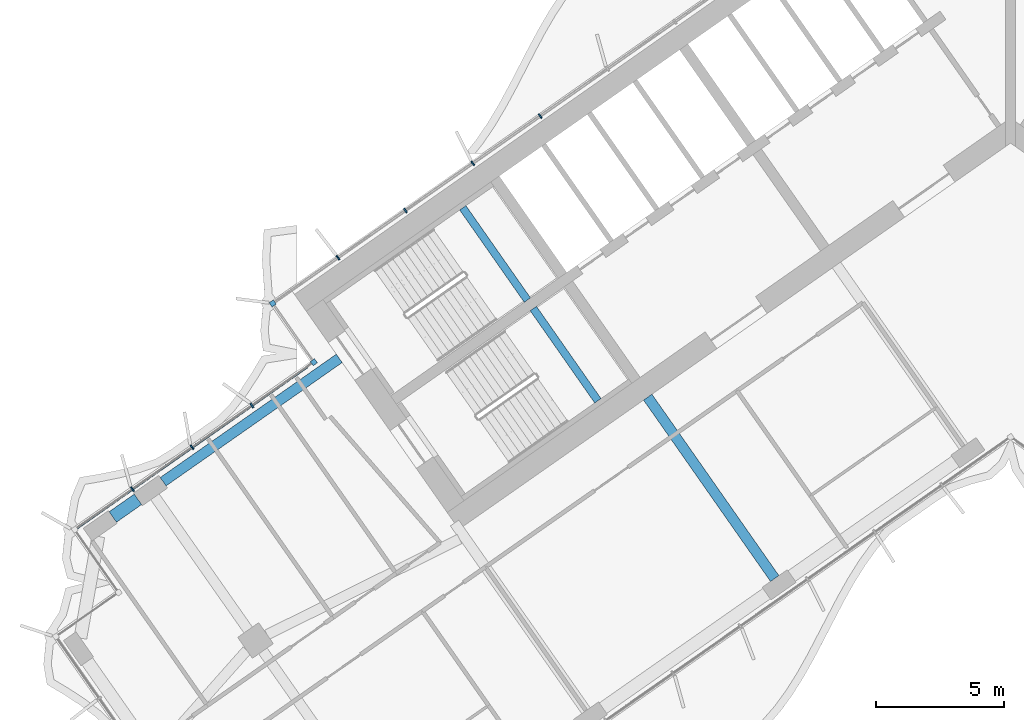
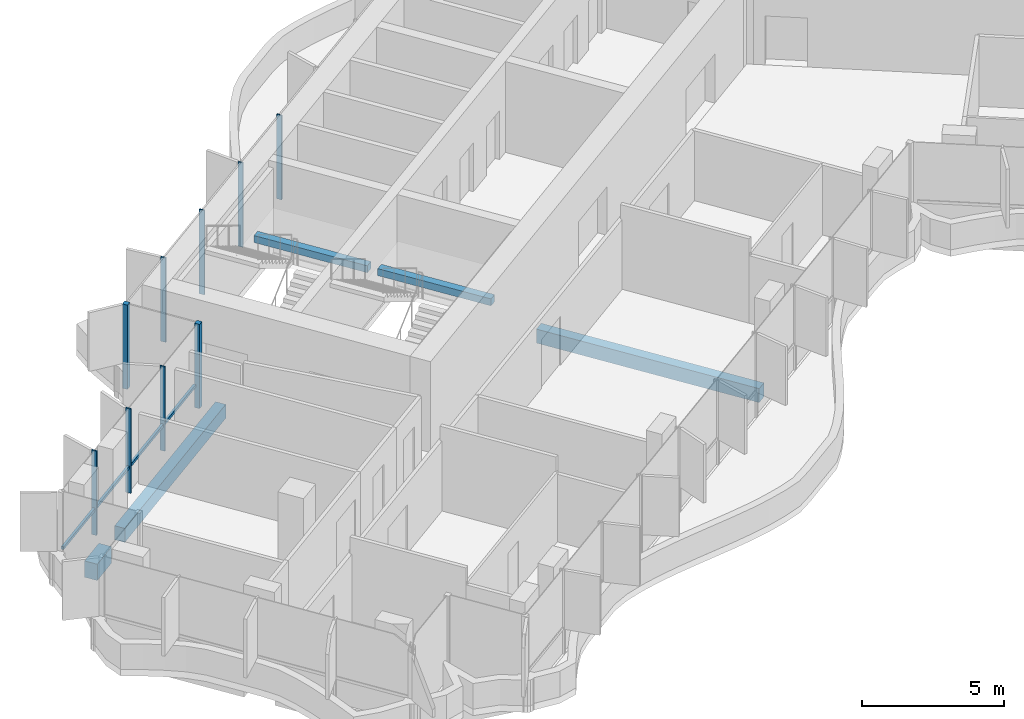
# One storey, part 4 of 23: 10 members, 5 beams, 2 elements without a shape of their own.
"""IFC4 building model written with IfcOpenShell, lengths in metres."""

from ifc_helpers import new_model, si_unit, direction, frame, origin, origin_2d, place, context, subcontext, project, spatial, rectangle, extrude, material, material_profile, profile_set, type_object, element, aggregate, save


model = new_model("IFC4")

# Units and contexts
model_context = context("Model", 3, precision=1e-05, world=origin(), true_north=direction((0.0, 1.0)))
body_context = subcontext(model_context, "Body", "Model", "MODEL_VIEW")
ifc_project = project(units=[si_unit("LENGTHUNIT", "METRE"), si_unit("AREAUNIT", "SQUARE_METRE"), si_unit("VOLUMEUNIT", "CUBIC_METRE"), si_unit("PLANEANGLEUNIT", "RADIAN"), si_unit("MASSUNIT", "GRAM", prefix="KILO")], contexts=[model_context])

# Site, building, storey
site_placement = place(None, origin())
site = spatial("IfcSite", under=ifc_project, at=site_placement, CompositionType="ELEMENT")
building_placement = place(site_placement, origin())
building = spatial("IfcBuilding", under=site, at=building_placement, Name="Tel Ilan Convention Tower", CompositionType="ELEMENT")
storey_placement = place(building_placement, frame((0.0, 0.0, 178.800048828125)))
storey = spatial("IfcBuildingStorey", under=building, at=storey_placement, Name="L41", CompositionType="ELEMENT", Elevation=178.800048828125)

# Beams
ifc_material_1 = material(Name="Concrete C40/50", Category="concrete")
ifc_material_profile_1 = material_profile(ifc_material_1, rectangle(XDim=0.39990234375, YDim=0.60009765625, at=origin_2d()), Name="RC 400x600")
ifc_profile_set_1 = profile_set([ifc_material_profile_1], Name="Concrete C40/50")
beam_type_1 = type_object("IfcBeamType", Name="Beam RC 400x600 Concrete C40/50", PredefinedType="BEAM", material=ifc_profile_set_1)
beam_1_placement = place(storey_placement, frame((-33.09912109375, -14.44775390625, -0.580078125), z_axis=(0.819147254605, 0.573583276668, 0.0), x_axis=(-0.573583276668, 0.819147254605, 0.0)))
element("IfcBeam", 1, at=beam_1_placement, inside=storey, type_object=beam_type_1, Name="L41 beam W-W-B4-core", PredefinedType="BEAM", context=body_context, shape_type="SweptSolid", body=[
    extrude(rectangle(XDim=0.39990234375, YDim=0.60009765625, at=origin_2d()), origin(), (0.0, 0.0, 1.0), 8.400146484375),
])
beam_2_placement = place(storey_placement, frame((-9.209716796875, -18.229248046875, -0.580078125), z_axis=(-0.573574099654, 0.819153680457, 0.0), x_axis=(-0.819153680457, -0.573574099654, 0.0)))
element("IfcBeam", 2, at=beam_2_placement, inside=storey, type_object=beam_type_1, Name="L41 beam W-W-F2-core", PredefinedType="BEAM", context=body_context, shape_type="SweptSolid", body=[
    extrude(rectangle(XDim=0.39990234375, YDim=0.60009765625, at=origin_2d()), origin(), (0.0, 0.0, 1.0), 8.64990234375),
])
ifc_material_2 = material(Name="Concrete C40/50", Category="concrete")
ifc_material_profile_2 = material_profile(ifc_material_2, rectangle(XDim=0.5, YDim=0.699951171875, at=origin_2d()), Name="RC 500x700")
ifc_profile_set_2 = profile_set([ifc_material_profile_2], Name="Concrete C40/50")
beam_type_2 = type_object("IfcBeamType", Name="Beam RC 500x700 Concrete C40/50", PredefinedType="BEAM", material=ifc_profile_set_2)
beam_3_placement = place(storey_placement, frame((-35.06494140625, -15.82421875, -0.630126953125), z_axis=(0.819155442668, 0.573571582932, 0.0), x_axis=(-0.573571582932, 0.819155442668, 0.0)))
element("IfcBeam", 3, at=beam_3_placement, inside=storey, type_object=beam_type_2, Name="L41 beam W-W-BC-W-B4", PredefinedType="BEAM", context=body_context, shape_type="SweptSolid", body=[
    extrude(rectangle(XDim=0.5, YDim=0.699951171875, at=origin_2d()), origin(), (0.0, 0.0, 1.0), 1.199951171875),
])

# Curtain wall, members
ifc_material_3 = material(Name="Aluminium, bronze anodised", Category="aluminium")
curtain_wall_type_1 = type_object("IfcCurtainWallType", Name="CW2 STICK CURTAIN WALL, SPANDREL PANELS", PredefinedType="NOTDEFINED", material=ifc_material_3)
curtain_wall_1_placement = place(storey_placement, origin())
curtain_wall_1 = element("IfcCurtainWall", 4, at=curtain_wall_1_placement, inside=storey, type_object=curtain_wall_type_1, Name="Curtain wall CW2-31.01", PredefinedType="NOTDEFINED")
ifc_material_4 = material(Name="Aluminium, bronze anodised", Category="aluminium")
ifc_material_profile_3 = material_profile(ifc_material_4, rectangle(XDim=0.199951171875, YDim=0.199951171875, at=origin_2d()), Name="CW CORNER MULLION 200x200")
ifc_profile_set_3 = profile_set([ifc_material_profile_3], Name="Aluminium, bronze anodised")
member_type_1 = type_object("IfcMemberType", Name="CW CORNER MULLION 200x200", PredefinedType="MULLION", material=ifc_profile_set_3)
member_1_placement = place(storey_placement, frame((-28.819580078125, -7.483642578125, 0.0), z_axis=(0.0, 0.0, 1.0), x_axis=(-0.819152044289, -0.573576436351, 0.0)))
member_1 = element("IfcMember", 5, at=member_1_placement, type_object=member_type_1, Name="Corner mullion", PredefinedType="MULLION", context=body_context, shape_type="SweptSolid", body=[
    extrude(rectangle(XDim=0.199951171875, YDim=0.199951171875, at=origin_2d()), origin(), (0.0, 0.0, 1.0), 3.619873046875),
])
member_2_placement = place(storey_placement, frame((-27.213623046875, -9.77734375, 0.0), z_axis=(0.0, 0.0, 1.0), x_axis=(0.573576436351, -0.819152044289, 0.0)))
member_2 = element("IfcMember", 6, at=member_2_placement, type_object=member_type_1, Name="Corner mullion", PredefinedType="MULLION", context=body_context, shape_type="SweptSolid", body=[
    extrude(rectangle(XDim=0.199951171875, YDim=0.199951171875, at=origin_2d()), origin(), (0.0, 0.0, 1.0), 3.619873046875),
])
ifc_material_5 = material(Name="Aluminium, bronze anodised", Category="aluminium")
ifc_material_profile_4 = material_profile(ifc_material_5, rectangle(XDim=0.06005859375, YDim=0.199951171875, at=origin_2d()), Name="CW MULLION 60x200")
ifc_profile_set_4 = profile_set([ifc_material_profile_4], Name="Aluminium, bronze anodised")
member_type_2 = type_object("IfcMemberType", Name="CW MULLION 60x200", PredefinedType="MULLION", material=ifc_profile_set_4)
member_3_placement = place(storey_placement, frame((-18.37109375, -0.16748046875, 0.0), z_axis=(0.0, 0.0, 1.0), x_axis=(-0.819152044289, -0.573576436351, 0.0)))
member_3 = element("IfcMember", 7, at=member_3_placement, type_object=member_type_2, Name="Mullion", PredefinedType="MULLION", context=body_context, shape_type="SweptSolid", body=[
    extrude(rectangle(XDim=0.06005859375, YDim=0.199951171875, at=origin_2d()), origin(), (0.0, 0.0, 1.0), 3.619873046875),
])
member_4_placement = place(storey_placement, frame((-21.003662109375, -2.0107421875, 0.0), z_axis=(0.0, 0.0, 1.0), x_axis=(-0.819152044289, -0.573576436351, 0.0)))
member_4 = element("IfcMember", 8, at=member_4_placement, type_object=member_type_2, Name="Mullion", PredefinedType="MULLION", context=body_context, shape_type="SweptSolid", body=[
    extrude(rectangle(XDim=0.06005859375, YDim=0.199951171875, at=origin_2d()), origin(), (0.0, 0.0, 1.0), 3.619873046875),
])
member_5_placement = place(storey_placement, frame((-23.63623046875, -3.854248046875, 0.0), z_axis=(0.0, 0.0, 1.0), x_axis=(-0.819152044289, -0.573576436351, 0.0)))
member_5 = element("IfcMember", 9, at=member_5_placement, type_object=member_type_2, Name="Mullion", PredefinedType="MULLION", context=body_context, shape_type="SweptSolid", body=[
    extrude(rectangle(XDim=0.06005859375, YDim=0.199951171875, at=origin_2d()), origin(), (0.0, 0.0, 1.0), 3.619873046875),
])
member_6_placement = place(storey_placement, frame((-26.268798828125, -5.697509765625, 0.0), z_axis=(0.0, 0.0, 1.0), x_axis=(-0.819152044289, -0.573576436351, 0.0)))
member_6 = element("IfcMember", 10, at=member_6_placement, type_object=member_type_2, Name="Mullion", PredefinedType="MULLION", context=body_context, shape_type="SweptSolid", body=[
    extrude(rectangle(XDim=0.06005859375, YDim=0.199951171875, at=origin_2d()), origin(), (0.0, 0.0, 1.0), 3.619873046875),
])
aggregate(curtain_wall_1, [member_3, member_4, member_5, member_6, member_1, member_2])

ifc_material_6 = material(Name="Aluminium, bronze anodised", Category="aluminium")
curtain_wall_type_2 = type_object("IfcCurtainWallType", Name="CW4 STICK CURTAIN WALL, OFFICE TINTED GLASS", PredefinedType="NOTDEFINED", material=ifc_material_6)
curtain_wall_2_placement = place(storey_placement, origin())
curtain_wall_2 = element("IfcCurtainWall", 11, at=curtain_wall_2_placement, inside=storey, type_object=curtain_wall_type_2, Name="Curtain wall CW4-31.02", PredefinedType="NOTDEFINED")
member_7_placement = place(storey_placement, frame((-29.630126953125, -11.46923828125, 0.0), z_axis=(0.0, 0.0, 1.0), x_axis=(-0.819152044289, -0.573576436351, 0.0)))
member_7 = element("IfcMember", 12, at=member_7_placement, type_object=member_type_2, Name="Mullion", PredefinedType="MULLION", context=body_context, shape_type="SweptSolid", body=[
    extrude(rectangle(XDim=0.06005859375, YDim=0.199951171875, at=origin_2d()), origin(), (0.0, 0.0, 1.0), 3.619873046875),
])
member_8_placement = place(storey_placement, frame((-31.964599609375, -13.10400390625, 0.0), z_axis=(0.0, 0.0, 1.0), x_axis=(-0.819152044289, -0.573576436351, 0.0)))
member_8 = element("IfcMember", 13, at=member_8_placement, type_object=member_type_2, Name="Mullion", PredefinedType="MULLION", context=body_context, shape_type="SweptSolid", body=[
    extrude(rectangle(XDim=0.06005859375, YDim=0.199951171875, at=origin_2d()), origin(), (0.0, 0.0, 1.0), 3.619873046875),
])
member_9_placement = place(storey_placement, frame((-34.299072265625, -14.73876953125, 0.0), z_axis=(0.0, 0.0, 1.0), x_axis=(-0.819152044289, -0.573576436351, 0.0)))
member_9 = element("IfcMember", 14, at=member_9_placement, type_object=member_type_2, Name="Mullion", PredefinedType="MULLION", context=body_context, shape_type="SweptSolid", body=[
    extrude(rectangle(XDim=0.06005859375, YDim=0.199951171875, at=origin_2d()), origin(), (0.0, 0.0, 1.0), 3.619873046875),
])
ifc_material_7 = material(Name="Aluminium, bronze anodised", Category="aluminium")
ifc_material_profile_5 = material_profile(ifc_material_7, rectangle(XDim=0.10009765625, YDim=0.1201171875, at=origin_2d()), Name="CW TRANSOM 100x120")
ifc_profile_set_5 = profile_set([ifc_material_profile_5], Name="Aluminium, bronze anodised")
member_type_3 = type_object("IfcMemberType", Name="CW TRANSOM 100x120", PredefinedType="USERDEFINED", material=ifc_profile_set_5)
member_10_placement = place(storey_placement, frame((-27.459228515625, -9.94921875, 1.099853515625), z_axis=(-0.819154753687, -0.57357256691, 0.0), x_axis=(0.57357256691, -0.819154753687, 0.0)))
member_10 = element("IfcMember", 15, at=member_10_placement, type_object=member_type_3, Name="Transom", ObjectType="TRANSOM", PredefinedType="USERDEFINED", context=body_context, shape_type="SweptSolid", body=[
    extrude(rectangle(XDim=0.10009765625, YDim=0.1201171875, at=origin_2d()), origin(), (0.0, 0.0, 1.0), 11.0),
])
aggregate(curtain_wall_2, [member_7, member_8, member_9, member_10])

# Beams
ifc_material_8 = material(Name="Concrete C40/50", Category="concrete")
ifc_material_profile_6 = material_profile(ifc_material_8, rectangle(XDim=0.300048828125, YDim=0.300048828125, at=origin_2d()), Name="RC 300x300")
ifc_profile_set_6 = profile_set([ifc_material_profile_6], Name="Concrete C40/50")
beam_type_3 = type_object("IfcBeamType", Name="Landing Beam RC 300x300 Concrete C40/50", PredefinedType="BEAM", material=ifc_profile_set_6)
beam_4_placement = place(storey_placement, frame((-18.870361328125, -7.353515625, 1.599853515625), z_axis=(-0.57354426506, 0.819174569928, 0.0), x_axis=(-0.819174569928, -0.57354426506, 0.0)))
element("IfcBeam", 16, at=beam_4_placement, inside=storey, type_object=beam_type_3, Name="S1 landing beam L41.1", PredefinedType="BEAM", context=body_context, shape_type="SweptSolid", body=[
    extrude(rectangle(XDim=0.300048828125, YDim=0.300048828125, at=origin_2d()), origin(), (0.0, 0.0, 1.0), 4.400146484375),
])
beam_5_placement = place(storey_placement, frame((-16.1171875, -11.285400390625, 1.599853515625), z_axis=(-0.573570334442, 0.819156316858, 0.0), x_axis=(-0.819156316858, -0.573570334442, 0.0)))
element("IfcBeam", 17, at=beam_5_placement, inside=storey, type_object=beam_type_3, Name="S2 landing beam L41.1", PredefinedType="BEAM", context=body_context, shape_type="SweptSolid", body=[
    extrude(rectangle(XDim=0.300048828125, YDim=0.300048828125, at=origin_2d()), origin(), (0.0, 0.0, 1.0), 4.39990234375),
])

save(model, "model.ifc")
